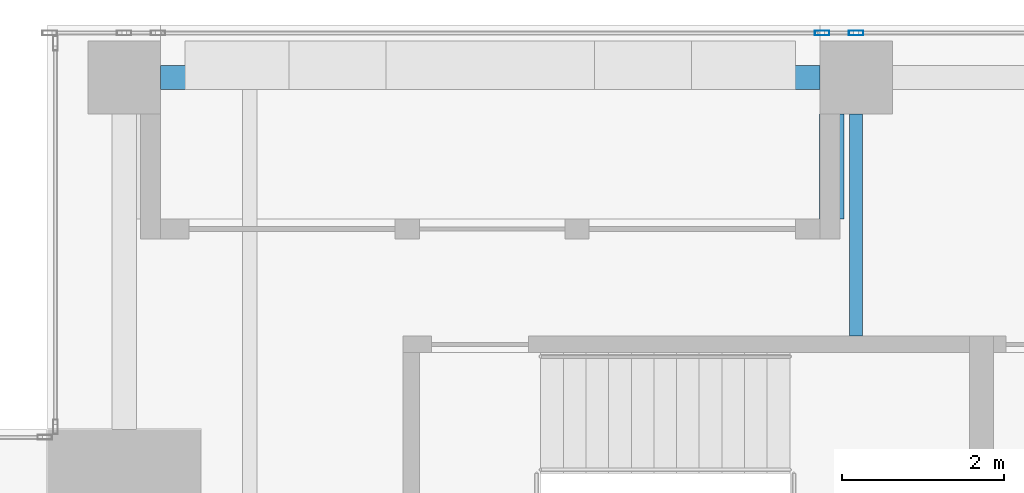
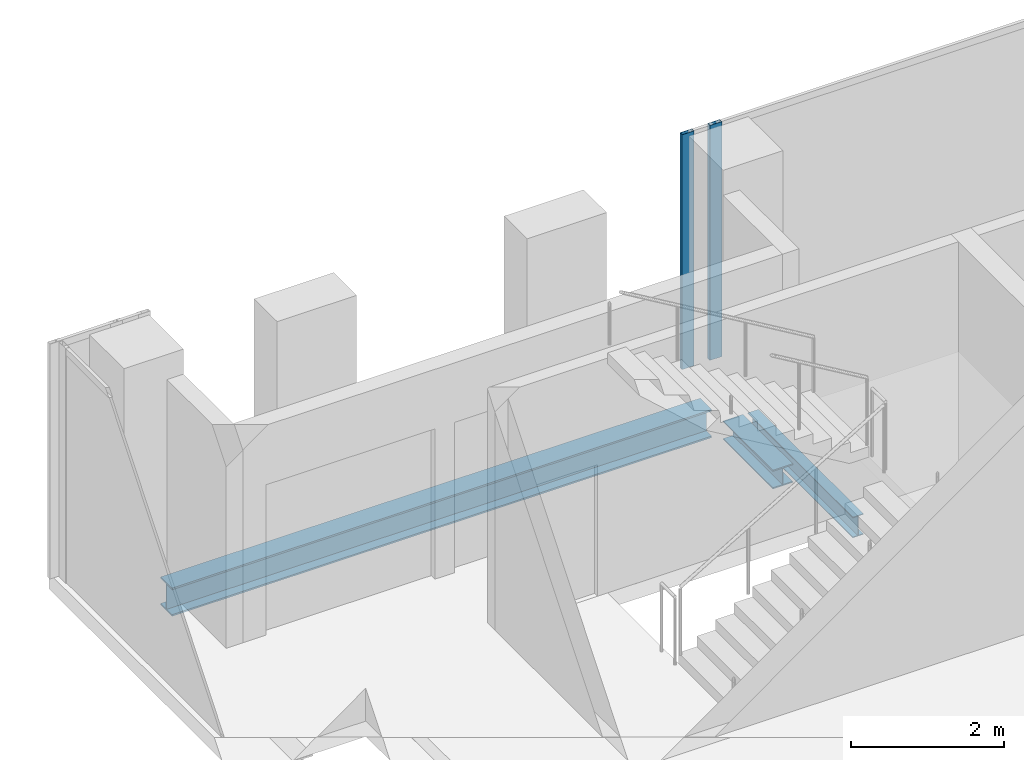
# One storey, part 16 of 34: 3 beams, 2 members, 1 element without a shape of its own.
"""IFC4 building model written with IfcOpenShell, lengths in metres."""

from ifc_helpers import new_model, si_unit, direction, frame, origin, origin_2d, place, context, subcontext, project, spatial, hollow_rectangle, i_section, extrude, source, transform, mapped, material, material_profile, profile_set, type_object, element, aggregate, save


model = new_model("IFC4")

# Units and contexts
model_context = context("Model", 3, precision=1e-05, world=origin(), true_north=direction((0.0, 1.0)))
body_context = subcontext(model_context, "Body", "Model", "MODEL_VIEW")
ifc_project = project(units=[si_unit("LENGTHUNIT", "METRE"), si_unit("AREAUNIT", "SQUARE_METRE"), si_unit("VOLUMEUNIT", "CUBIC_METRE"), si_unit("PLANEANGLEUNIT", "RADIAN"), si_unit("MASSUNIT", "GRAM", prefix="KILO")], contexts=[model_context])

# Site, building, storey
site_placement = place(None, origin())
site = spatial("IfcSite", under=ifc_project, at=site_placement, CompositionType="ELEMENT")
building_placement = place(site_placement, origin())
building = spatial("IfcBuilding", under=site, at=building_placement, Name="Khomas Fold Tower", CompositionType="ELEMENT")
storey_placement = place(building_placement, frame((0.0, 0.0, 254.199951171875)))
storey = spatial("IfcBuildingStorey", under=building, at=storey_placement, Name="L57", CompositionType="ELEMENT", Elevation=254.199951171875)

# Beams
ifc_material_1 = material(Name="Steel S355", Category="steel")
ifc_material_profile_1 = material_profile(ifc_material_1, i_section(OverallWidth=0.159912109375, OverallDepth=0.330078125, WebThickness=0.007568359375, FlangeThickness=0.011474609375, at=origin_2d()), Name="IPE 330")
ifc_profile_set_1 = profile_set([ifc_material_profile_1], Name="Steel S355")
beam_type_1 = type_object("IfcBeamType", Name="IPE 330 beam JB1", PredefinedType="BEAM", material=ifc_profile_set_1)
shared_shape_1 = source(origin(), body_context, "Body", "SweptSolid", [
    extrude(i_section(OverallWidth=0.159912109375, OverallDepth=0.330078125, WebThickness=0.007568359375, FlangeThickness=0.011474609375, at=origin_2d()), origin(), (0.0, 0.0, 1.0), 2.75),
])
beam_1_placement = place(storey_placement, frame((19.5, 45.64990234375, -0.4150390625), z_axis=(0.0, 1.0, 0.0), x_axis=(-1.0, 0.0, 0.0)))
element("IfcBeam", 1, at=beam_1_placement, inside=storey, type_object=beam_type_1, Name="JB1", PredefinedType="BEAM", context=body_context, shape_type="MappedRepresentation", body=[
    mapped(shared_shape_1, transform((0.0, 0.0, 0.0))),
])
ifc_material_2 = material(Name="Steel S355", Category="steel")
ifc_material_profile_2 = material_profile(ifc_material_2, i_section(OverallWidth=0.300048828125, OverallDepth=0.449951171875, WebThickness=0.013916015625, FlangeThickness=0.02587890625, at=origin_2d()), Name="HE 450 B")
ifc_profile_set_2 = profile_set([ifc_material_profile_2], Name="Steel S355")
beam_type_2 = type_object("IfcBeamType", Name="HE 450 B spandrel SB4", PredefinedType="SPANDREL", material=ifc_profile_set_2)
shared_shape_2 = source(origin(), body_context, "Body", "SweptSolid", [
    extrude(i_section(OverallWidth=0.300048828125, OverallDepth=0.449951171875, WebThickness=0.013916015625, FlangeThickness=0.02587890625, at=origin_2d()), origin(), (0.0, 0.0, 1.0), 8.150146484375),
])
beam_2_placement = place(storey_placement, frame((10.89990234375, 48.85009765625, -0.474853515625), z_axis=(1.0, 0.0, 0.0), x_axis=(0.0, 1.0, 0.0)))
element("IfcBeam", 2, at=beam_2_placement, inside=storey, type_object=beam_type_2, Name="SB4", PredefinedType="SPANDREL", context=body_context, shape_type="MappedRepresentation", body=[
    mapped(shared_shape_2, transform((0.0, 0.0, 0.0))),
])
ifc_material_3 = material(Name="Steel S355", Category="steel")
ifc_material_profile_3 = material_profile(ifc_material_3, i_section(OverallWidth=0.300048828125, OverallDepth=0.300048828125, WebThickness=0.010986328125, FlangeThickness=0.01904296875, at=origin_2d()), Name="HE 300 B")
ifc_profile_set_3 = profile_set([ifc_material_profile_3], Name="Steel S355")
beam_type_3 = type_object("IfcBeamType", Name="HE 300 B beam BB1", PredefinedType="BEAM", material=ifc_profile_set_3)
shared_shape_3 = source(origin(), body_context, "Body", "SweptSolid", [
    extrude(i_section(OverallWidth=0.300048828125, OverallDepth=0.300048828125, WebThickness=0.010986328125, FlangeThickness=0.01904296875, at=origin_2d()), origin(), (0.0, 0.0, 1.0), 1.2998046875),
])
beam_3_placement = place(storey_placement, frame((19.199951171875, 47.10009765625, -0.39990234375), z_axis=(0.0, 1.0, 0.0), x_axis=(-1.0, 0.0, 0.0)))
element("IfcBeam", 3, at=beam_3_placement, inside=storey, type_object=beam_type_3, Name="BB1", PredefinedType="BEAM", context=body_context, shape_type="MappedRepresentation", body=[
    mapped(shared_shape_3, transform((0.0, 0.0, 0.0))),
])

# Curtain wall, members
ifc_material_4 = material(Name="Aluminium framed double glazing", Category="aluminium")
curtain_wall_type = type_object("IfcCurtainWallType", Name="SK-Unitised clear-glass wall, office floors CW2", PredefinedType="NOTDEFINED", material=ifc_material_4)
curtain_wall_placement = place(storey_placement, origin())
curtain_wall = element("IfcCurtainWall", 4, at=curtain_wall_placement, inside=storey, type_object=curtain_wall_type, Name="CW2 run L57 06-0", PredefinedType="NOTDEFINED")
ifc_material_5 = material(Name="Aluminium", Category="aluminium")
ifc_material_profile_4 = material_profile(ifc_material_5, hollow_rectangle(XDim=0.06005859375, YDim=0.179931640625, WallThickness=0.00390625, at=origin_2d()), Name="SK-Unitised clear-glass wall, office floors mullion CW2-M")
ifc_profile_set_4 = profile_set([ifc_material_profile_4], Name="Aluminium")
member_type = type_object("IfcMemberType", Name="SK-Unitised clear-glass wall, office floors mullion CW2-M", PredefinedType="MULLION", material=ifc_profile_set_4)
shared_shape_4 = source(origin(), body_context, "Body", "SweptSolid", [
    extrude(hollow_rectangle(XDim=0.06005859375, YDim=0.179931640625, WallThickness=0.00390625, at=origin_2d()), origin(), (0.0, 0.0, 1.0), 3.75),
])
member_1_placement = place(storey_placement, frame((19.5, 49.39990234375, 0.0), z_axis=(0.0, 0.0, 1.0), x_axis=(0.0, -1.0, 0.0)))
member_1 = element("IfcMember", 5, at=member_1_placement, type_object=member_type, Name="CW2 mullion 5", PredefinedType="MULLION", context=body_context, shape_type="MappedRepresentation", body=[
    mapped(shared_shape_4, transform((0.0, 0.0, 0.0))),
])
member_2_placement = place(storey_placement, frame((19.080078125, 49.39990234375, 0.0), z_axis=(0.0, 0.0, 1.0), x_axis=(0.0, -1.0, 0.0)))
member_2 = element("IfcMember", 6, at=member_2_placement, type_object=member_type, Name="CW2 mullion 6", PredefinedType="MULLION", context=body_context, shape_type="MappedRepresentation", body=[
    mapped(shared_shape_4, transform((0.0, 0.0, 0.0))),
])
aggregate(curtain_wall, [member_1, member_2])

save(model, "model.ifc")
